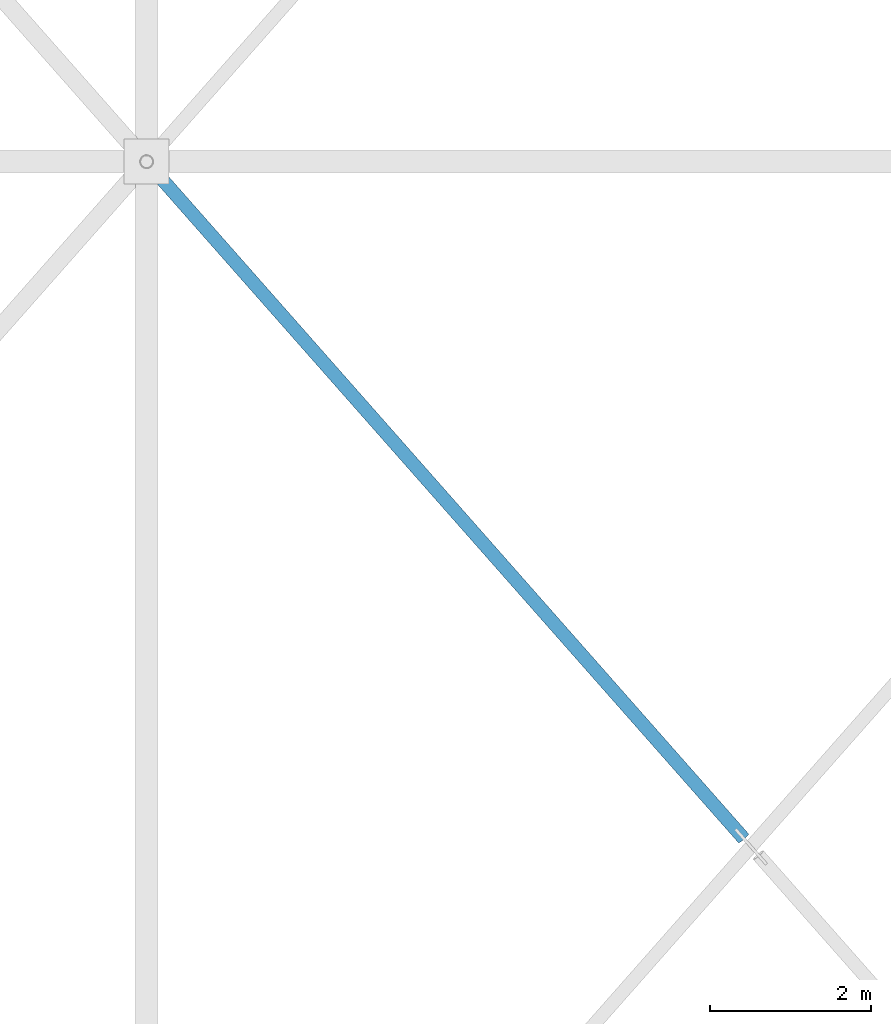
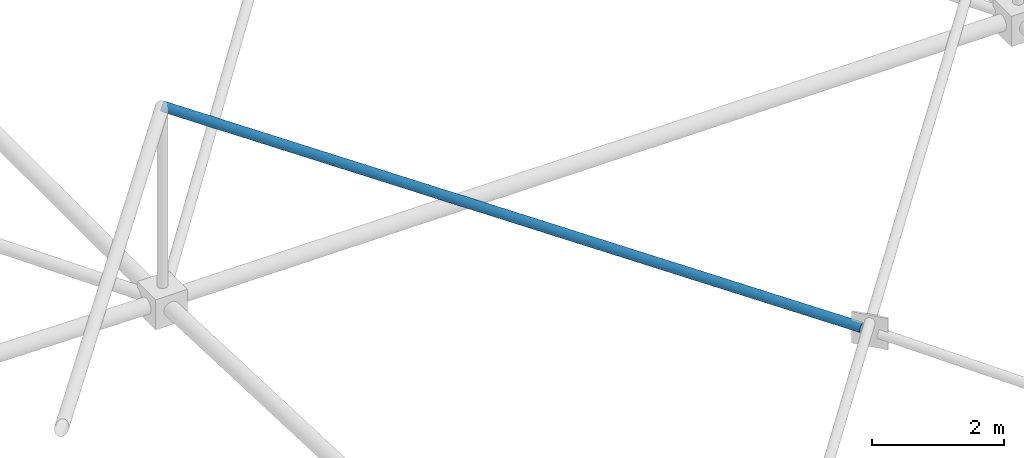
# One storey, part 32 of 224: 1 member.
"""IFC4 building model written with IfcOpenShell, lengths in metres."""

import ifcopenshell
import ifcopenshell.guid

model = None  # the IFC model being written
_history = None  # IfcOwnerHistory: only IFC2X3 demands one
_inside = {}  # id of a spatial element -> (the spatial element, [elements in it])
_under = {}  # id of a project, library or spatial element -> (it, [spatial elements below it])
_declared = {}  # id of a project -> (the project, [libraries it declares])
_typed = {}  # id of a type object -> (the type object, [elements of that type])
_made_of = {}  # id of a material, layer set ... -> (it, [elements and type objects made of it])


def new_model(schema):
    """Start an empty IFC model of exactly this schema.

    Asked for "IFC4X3", IfcOpenShell would pick the latest addendum, in which some entities
    have other attributes; the version numbers below select the first issue.
    IFC2X3 requires an IfcOwnerHistory on every rooted entity: one is made here for all.
    """
    global model, _history
    if schema == "IFC4X3":
        model = ifcopenshell.file(schema_version=(4, 3, 0, 0))
    else:
        model = ifcopenshell.file(schema=schema)
    _inside.clear()
    _under.clear()
    _declared.clear()
    _typed.clear()
    _made_of.clear()
    _history = None
    if model.schema == "IFC2X3":
        org = make("IfcOrganization", Name="unknown")
        user = make(
            "IfcPersonAndOrganization",
            ThePerson=make("IfcPerson", FamilyName="unknown"),
            TheOrganization=org,
        )
        app = make(
            "IfcApplication",
            ApplicationDeveloper=org,
            Version="unknown",
            ApplicationFullName="unknown",
            ApplicationIdentifier="unknown",
        )
        _history = make(
            "IfcOwnerHistory",
            OwningUser=user,
            OwningApplication=app,
            ChangeAction="ADDED",
            CreationDate=0,
        )
    return model


def make(cls, **values):
    """One entity of the class cls with the attributes given. An attribute that is None is left unset."""
    return model.create_entity(
        cls, **{name: value for name, value in values.items() if value is not None}
    )


def rooted(cls, **values):
    """An entity with a GlobalId (a new one), such as an element, a storey or a relation."""
    return make(cls, GlobalId=ifcopenshell.guid.new(), OwnerHistory=_history, **values)


def si_unit(unit_type, name, prefix=None):
    """IfcSIUnit, for example si_unit("LENGTHUNIT", "METRE", prefix="MILLI")."""
    return make("IfcSIUnit", UnitType=unit_type, Prefix=prefix, Name=name)


def assignment(units):
    """IfcUnitAssignment: the units of a project."""
    return None if units is None else make("IfcUnitAssignment", Units=units)


def point(xyz):
    """IfcCartesianPoint."""
    return None if xyz is None else make("IfcCartesianPoint", Coordinates=xyz)


def direction(xyz):
    """IfcDirection."""
    return None if xyz is None else make("IfcDirection", DirectionRatios=xyz)


def frame(location, z_axis=None, x_axis=None):
    """IfcAxis2Placement3D, a coordinate frame: its origin and axes. An axis left out is left unset."""
    return make(
        "IfcAxis2Placement3D",
        Location=point(location),
        Axis=direction(z_axis),
        RefDirection=direction(x_axis),
    )


def frame_2d(location, x_axis=None):
    """IfcAxis2Placement2D, a coordinate frame in the plane: its origin and x axis."""
    return make(
        "IfcAxis2Placement2D", Location=point(location), RefDirection=direction(x_axis)
    )


def origin():
    """The frame at (0, 0, 0) with its axes left unset."""
    return frame((0.0, 0.0, 0.0))


def origin_2d():
    """The frame at (0, 0) in the plane with its x axis left unset."""
    return frame_2d((0.0, 0.0))


def place(relative_to, where):
    """IfcLocalPlacement: puts the frame where relative to a parent placement (None: the world)."""
    return make(
        "IfcLocalPlacement", PlacementRelTo=relative_to, RelativePlacement=where
    )


def context(
    kind, dimensions, precision=None, world=None, true_north=None, identifier=None
):
    """IfcGeometricRepresentationContext, for example the 3D "Model" context."""
    return make(
        "IfcGeometricRepresentationContext",
        ContextIdentifier=identifier,
        ContextType=kind,
        CoordinateSpaceDimension=dimensions,
        Precision=precision,
        WorldCoordinateSystem=world,
        TrueNorth=true_north,
    )


def subcontext(parent, identifier, kind, view, scale=None):
    """IfcGeometricRepresentationSubContext, for example "Body" below "Model"."""
    return make(
        "IfcGeometricRepresentationSubContext",
        ContextIdentifier=identifier,
        ContextType=kind,
        ParentContext=parent,
        TargetScale=scale,
        TargetView=view,
    )


def project(units=None, contexts=None):
    """IfcProject with its units and contexts."""
    return rooted(
        "IfcProject",
        Name="project",
        RepresentationContexts=contexts,
        UnitsInContext=assignment(units),
    )


def spatial(cls, under=None, at=None, **own):
    """A site, building, storey or space (cls), placed at a placement, below another one or the project."""
    s = rooted(cls, ObjectPlacement=at, **own)
    if under is not None:
        _under.setdefault(under.id(), (under, []))[1].append(s)
    return s


def profile(cls, at=None, kind="AREA", **sizes):
    """A parametric profile (cls). Its sizes go by their IFC names, for example OverallWidth=200.0."""
    return make(cls, ProfileType=kind, Position=at, **sizes)


def hollow_circle(**sizes):
    """IfcCircleHollowProfileDef."""
    return profile("IfcCircleHollowProfileDef", **sizes)


def extrude(swept, where, along, depth):
    """IfcExtrudedAreaSolid: the profile swept, set in the frame where, extruded along a direction by depth."""
    return make(
        "IfcExtrudedAreaSolid",
        SweptArea=swept,
        Position=where,
        ExtrudedDirection=direction(along),
        Depth=depth,
    )


def shape(context_of_items, identifier, shape_type, items):
    """IfcShapeRepresentation: the items that make up one representation, for example the "Body"."""
    return make(
        "IfcShapeRepresentation",
        ContextOfItems=context_of_items,
        RepresentationIdentifier=identifier,
        RepresentationType=shape_type,
        Items=items,
    )


def material(Name=None, Category=None):
    """IfcMaterial."""
    return make("IfcMaterial", Name=Name, Category=Category)


def material_profile(
    of_material, cross_section, Name=None, Category=None, Priority=None
):
    """IfcMaterialProfile: a cross section and its material."""
    return make(
        "IfcMaterialProfile",
        Name=Name,
        Material=of_material,
        Profile=cross_section,
        Priority=Priority,
        Category=Category,
    )


def profile_set(profiles, Name=None, composite=None):
    """IfcMaterialProfileSet."""
    return make(
        "IfcMaterialProfileSet",
        Name=Name,
        MaterialProfiles=profiles,
        CompositeProfile=composite,
    )


def made_of(thing, what):
    """Note that an element or type object is made of a material, layer set ...; save() writes the relation."""
    if what is not None:
        _made_of.setdefault(what.id(), (what, []))[1].append(thing)
    return thing


def type_object(cls, material=None, **own):
    """A type object (cls), such as IfcWallType, which elements share."""
    return made_of(rooted(cls, **own), material)


def element(
    cls,
    number,
    at=None,
    inside=None,
    cuts=None,
    type_object=None,
    material=None,
    context=None,
    identifier="Body",
    shape_type=None,
    held_by="IfcProductDefinitionShape",
    body=None,
    shapes=None,
    **own,
):
    """One element of the class cls, such as IfcWall. Its Tag is "e" and its number.

    at: its placement. inside: the storey or other place that contains it. cuts: it is an
    opening in that element (IfcRelVoidsElement). A single representation is given by context,
    identifier, shape_type and body (its items); several are given by shapes. held_by: the class
    of the entity that holds the representations. save() writes the other relations.
    """
    e = rooted(cls, Tag="e%d" % number, ObjectPlacement=at, **own)
    if body is not None:
        shapes = [shape(context, identifier, shape_type, body)]
    if shapes is not None:
        e.Representation = make(held_by, Representations=shapes)
    if inside is not None:
        _inside.setdefault(inside.id(), (inside, []))[1].append(e)
    if cuts is not None:
        rooted(
            "IfcRelVoidsElement", RelatingBuildingElement=cuts, RelatedOpeningElement=e
        )
    if type_object is not None:
        _typed.setdefault(type_object.id(), (type_object, []))[1].append(e)
    return made_of(e, material)


def aggregate(whole, parts):
    """IfcRelAggregates: a whole, such as a stair, and the parts it consists of."""
    return rooted("IfcRelAggregates", RelatingObject=whole, RelatedObjects=parts)


def save(model, path):
    """Write the relations noted so far, then the file.

    IfcRelAggregates (storeys below a building ...), IfcRelContainedInSpatialStructure (elements
    in a storey), IfcRelDefinesByType, IfcRelAssociatesMaterial and IfcRelDeclares: one each for
    every whole, place, type object, material and project.
    """
    for whole, parts in _under.values():
        aggregate(whole, parts)
    for where, things in _inside.values():
        rooted(
            "IfcRelContainedInSpatialStructure",
            RelatedElements=things,
            RelatingStructure=where,
        )
    for kind, things in _typed.values():
        rooted("IfcRelDefinesByType", RelatedObjects=things, RelatingType=kind)
    for what, things in _made_of.values():
        rooted("IfcRelAssociatesMaterial", RelatedObjects=things, RelatingMaterial=what)
    for by, libraries in _declared.values():
        rooted("IfcRelDeclares", RelatingContext=by, RelatedDefinitions=libraries)
    model.write(path)


model = new_model("IFC4")

# Units and contexts
model_context = context("Model", 3, precision=1e-05, world=origin(), true_north=direction((0.0, 1.0)))
body_context = subcontext(model_context, "Body", "Model", "MODEL_VIEW")
ifc_project = project(units=[si_unit("LENGTHUNIT", "METRE"), si_unit("AREAUNIT", "SQUARE_METRE"), si_unit("VOLUMEUNIT", "CUBIC_METRE"), si_unit("PLANEANGLEUNIT", "RADIAN"), si_unit("MASSUNIT", "GRAM", prefix="KILO")], contexts=[model_context])

# Site, building, storey
site_placement = place(None, origin())
site = spatial("IfcSite", under=ifc_project, at=site_placement, CompositionType="ELEMENT")
building_placement = place(site_placement, origin())
building = spatial("IfcBuilding", under=site, at=building_placement, Name="Qamarlyn Nura Convention Centre", CompositionType="ELEMENT")
storey_placement = place(building_placement, frame((0.0, 0.0, 10.800048828125)))
storey = spatial("IfcBuildingStorey", under=building, at=storey_placement, Name="L02", CompositionType="ELEMENT", Elevation=10.800048828125)

# Member
ifc_material = material(Name="Pearl-white PVDF steel ASTM A500 Grade C", Category="steel")
ifc_material_profile = material_profile(ifc_material, hollow_circle(Radius=0.084228515625, WallThickness=0.008056640625, at=origin_2d()), Name="CHS168.3X8")
ifc_profile_set = profile_set([ifc_material_profile], Name="Pearl-white PVDF steel ASTM A500 Grade C")
member_type = type_object("IfcMemberType", Name="SF-WEB-STD", PredefinedType="BRACE", material=ifc_profile_set)
member_placement = place(storey_placement, frame((22.408447265625, 43.603759765625, 2.799560546875), z_axis=(-0.65495416602, 0.742281388156, 0.141609961551), x_axis=(-0.749837855365, -0.661621637087, 0.0)))
element("IfcMember", 1, at=member_placement, inside=storey, type_object=member_type, Name="ROOF TRUSS space frame split diagonal B2 3-3", PredefinedType="BRACE", context=body_context, shape_type="SweptSolid", body=[
    extrude(hollow_circle(Radius=0.084228515625, WallThickness=0.008056640625, at=origin_2d()), origin(), (0.0, 0.0, 1.0), 11.311279296875),
])

save(model, "model.ifc")
